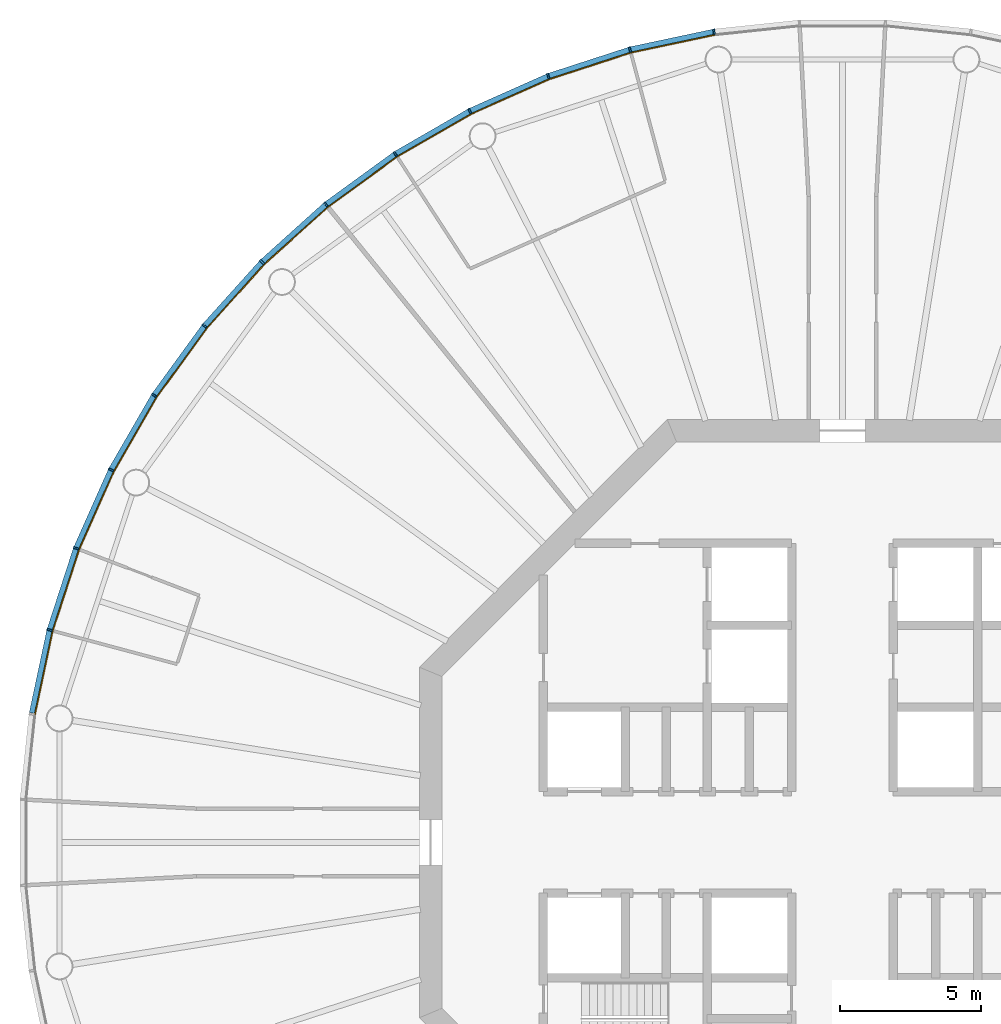
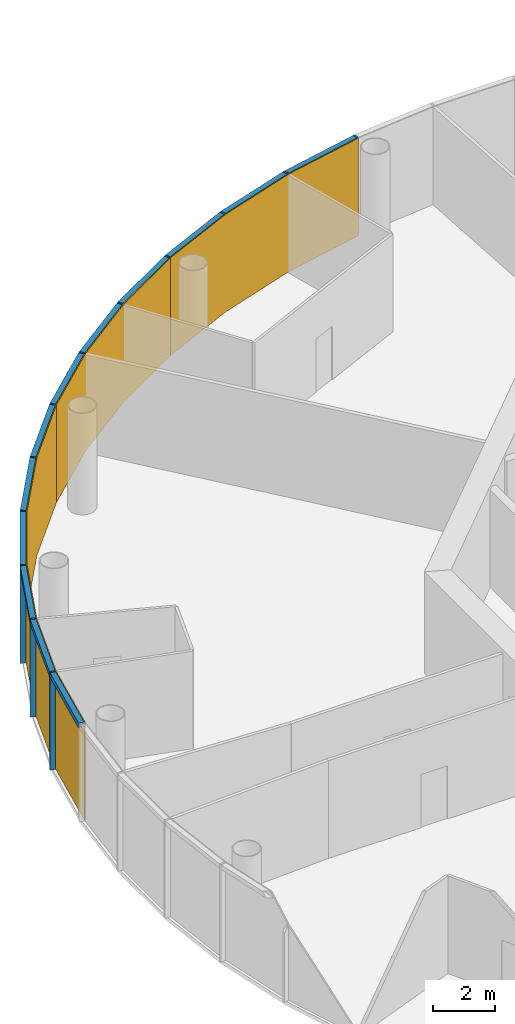
# One storey, part 10 of 13: 24 members, 4 curtain walls.
"""IFC4 building model written with IfcOpenShell, lengths in metres."""

from ifc_helpers import new_model, si_unit, direction, frame, origin, origin_2d, place, context, subcontext, project, spatial, polyline, rectangle, outline, extrude, material, layer, layer_set, material_profile, profile_set, type_object, element, aggregate, save


model = new_model("IFC4")

# Units and contexts
model_context = context("Model", 3, precision=1e-05, world=origin(), true_north=direction((0.0, 1.0)))
body_context = subcontext(model_context, "Body", "Model", "MODEL_VIEW")
ifc_project = project(units=[si_unit("LENGTHUNIT", "METRE"), si_unit("AREAUNIT", "SQUARE_METRE"), si_unit("VOLUMEUNIT", "CUBIC_METRE"), si_unit("PLANEANGLEUNIT", "RADIAN"), si_unit("MASSUNIT", "GRAM", prefix="KILO")], contexts=[model_context])

# Member
ifc_material_1 = material(Name="Anodised aluminium", Category="aluminium")
ifc_material_profile_1 = material_profile(ifc_material_1, rectangle(XDim=0.06494140625, YDim=0.195068359375, at=origin_2d()), Name="Mullion 65 x 195 mm anodised aluminium")
ifc_profile_set_1 = profile_set([ifc_material_profile_1], Name="Anodised aluminium")
member_type_1 = type_object("IfcMemberType", Name="Mullion 65 x 195 mm anodised aluminium", PredefinedType="MULLION", material=ifc_profile_set_1)
site_placement = place(None, origin())
building_placement = place(site_placement, origin())
storey_placement = place(building_placement, frame((0.0, 0.0, 314.0)))
member_1_placement = place(storey_placement, frame((85.4482421875, 108.7392578125, 0.0), z_axis=(0.0, 0.0, 1.0), x_axis=(-0.987688340595, -0.15643446504, 0.0)))
member_1 = element("IfcMember", 1, at=member_1_placement, type_object=member_type_1, Name="MULLION L72-15", PredefinedType="MULLION", context=body_context, shape_type="SweptSolid", body=[
    extrude(rectangle(XDim=0.06494140625, YDim=0.195068359375, at=origin_2d()), origin(), (0.0, 0.0, 1.0), 3.85009765625),
])

member_2_placement = place(storey_placement, frame((82.468994140625, 108.10595703125, 0.0), z_axis=(0.0, 0.0, 1.0), x_axis=(-0.965925826289, -0.258819045103, 0.0)))
member_2 = element("IfcMember", 2, at=member_2_placement, type_object=member_type_1, Name="MULLION L72-16", PredefinedType="MULLION", context=body_context, shape_type="SweptSolid", body=[
    extrude(rectangle(XDim=0.06494140625, YDim=0.195068359375, at=origin_2d()), origin(), (0.0, 0.0, 1.0), 3.85009765625),
])

member_3_placement = place(storey_placement, frame((79.572509765625, 107.164794921875, 0.0), z_axis=(0.0, 0.0, 1.0), x_axis=(-0.933580426497, -0.358367949545, 0.0)))
member_3 = element("IfcMember", 3, at=member_3_placement, type_object=member_type_1, Name="MULLION L72-17", PredefinedType="MULLION", context=body_context, shape_type="SweptSolid", body=[
    extrude(rectangle(XDim=0.06494140625, YDim=0.195068359375, at=origin_2d()), origin(), (0.0, 0.0, 1.0), 3.85009765625),
])

member_4_placement = place(storey_placement, frame((76.7900390625, 105.926025390625, 0.0), z_axis=(0.0, 0.0, 1.0), x_axis=(-0.891006524188, -0.45399049974, 0.0)))
member_4 = element("IfcMember", 4, at=member_4_placement, type_object=member_type_1, Name="MULLION L72-18", PredefinedType="MULLION", context=body_context, shape_type="SweptSolid", body=[
    extrude(rectangle(XDim=0.06494140625, YDim=0.195068359375, at=origin_2d()), origin(), (0.0, 0.0, 1.0), 3.85009765625),
])

member_5_placement = place(storey_placement, frame((74.15234375, 104.4033203125, 0.0), z_axis=(0.0, 0.0, 1.0), x_axis=(-0.838670567945, -0.544639035015, 0.0)))
member_5 = element("IfcMember", 5, at=member_5_placement, type_object=member_type_1, Name="MULLION L72-19", PredefinedType="MULLION", context=body_context, shape_type="SweptSolid", body=[
    extrude(rectangle(XDim=0.06494140625, YDim=0.195068359375, at=origin_2d()), origin(), (0.0, 0.0, 1.0), 3.85009765625),
])

member_6_placement = place(storey_placement, frame((71.688232421875, 102.613037109375, 0.0), z_axis=(0.0, 0.0, 1.0), x_axis=(-0.777145961457, -0.62932039105, 0.0)))
member_6 = element("IfcMember", 6, at=member_6_placement, type_object=member_type_1, Name="MULLION L72-20", PredefinedType="MULLION", context=body_context, shape_type="SweptSolid", body=[
    extrude(rectangle(XDim=0.06494140625, YDim=0.195068359375, at=origin_2d()), origin(), (0.0, 0.0, 1.0), 3.85009765625),
])

member_7_placement = place(storey_placement, frame((69.425048828125, 100.574951171875, 0.0), z_axis=(0.0, 0.0, 1.0), x_axis=(-0.707106781187, -0.707106781187, 0.0)))
member_7 = element("IfcMember", 7, at=member_7_placement, type_object=member_type_1, Name="MULLION L72-21", PredefinedType="MULLION", context=body_context, shape_type="SweptSolid", body=[
    extrude(rectangle(XDim=0.06494140625, YDim=0.195068359375, at=origin_2d()), origin(), (0.0, 0.0, 1.0), 3.85009765625),
])

member_8_placement = place(storey_placement, frame((67.386962890625, 98.311767578125, 0.0), z_axis=(0.0, 0.0, 1.0), x_axis=(-0.62932039105, -0.777145961457, 0.0)))
member_8 = element("IfcMember", 8, at=member_8_placement, type_object=member_type_1, Name="MULLION L72-22", PredefinedType="MULLION", context=body_context, shape_type="SweptSolid", body=[
    extrude(rectangle(XDim=0.06494140625, YDim=0.195068359375, at=origin_2d()), origin(), (0.0, 0.0, 1.0), 3.85009765625),
])

member_9_placement = place(storey_placement, frame((65.5966796875, 95.84765625, 0.0), z_axis=(0.0, 0.0, 1.0), x_axis=(-0.544639035015, -0.838670567945, 0.0)))
member_9 = element("IfcMember", 9, at=member_9_placement, type_object=member_type_1, Name="MULLION L72-23", PredefinedType="MULLION", context=body_context, shape_type="SweptSolid", body=[
    extrude(rectangle(XDim=0.06494140625, YDim=0.195068359375, at=origin_2d()), origin(), (0.0, 0.0, 1.0), 3.85009765625),
])

member_10_placement = place(storey_placement, frame((64.073974609375, 93.2099609375, 0.0), z_axis=(0.0, 0.0, 1.0), x_axis=(-0.45399049974, -0.891006524188, 0.0)))
member_10 = element("IfcMember", 10, at=member_10_placement, type_object=member_type_1, Name="MULLION L72-24", PredefinedType="MULLION", context=body_context, shape_type="SweptSolid", body=[
    extrude(rectangle(XDim=0.06494140625, YDim=0.195068359375, at=origin_2d()), origin(), (0.0, 0.0, 1.0), 3.85009765625),
])

member_11_placement = place(storey_placement, frame((62.835205078125, 90.427490234375, 0.0), z_axis=(0.0, 0.0, 1.0), x_axis=(-0.358367949545, -0.933580426497, 0.0)))
member_11 = element("IfcMember", 11, at=member_11_placement, type_object=member_type_1, Name="MULLION L72-25", PredefinedType="MULLION", context=body_context, shape_type="SweptSolid", body=[
    extrude(rectangle(XDim=0.06494140625, YDim=0.195068359375, at=origin_2d()), origin(), (0.0, 0.0, 1.0), 3.85009765625),
])

member_12_placement = place(storey_placement, frame((61.89404296875, 87.531005859375, 0.0), z_axis=(0.0, 0.0, 1.0), x_axis=(-0.258819045103, -0.965925826289, 0.0)))
member_12 = element("IfcMember", 12, at=member_12_placement, type_object=member_type_1, Name="MULLION L72-26", PredefinedType="MULLION", context=body_context, shape_type="SweptSolid", body=[
    extrude(rectangle(XDim=0.06494140625, YDim=0.195068359375, at=origin_2d()), origin(), (0.0, 0.0, 1.0), 3.85009765625),
])

ifc_material_2 = material(Name="Anodised aluminium", Category="aluminium")
ifc_material_profile_2 = material_profile(ifc_material_2, rectangle(XDim=0.195068359375, YDim=0.179931640625, at=origin_2d()), Name="Transom 180 x 195 mm anodised aluminium")
ifc_profile_set_2 = profile_set([ifc_material_profile_2], Name="Anodised aluminium")
member_type_2 = type_object("IfcMemberType", Name="Transom 180 x 195 mm anodised aluminium", PredefinedType="USERDEFINED", material=ifc_profile_set_2)
member_13_placement = place(storey_placement, frame((85.411376953125, 108.731689453125, 3.760009765625), z_axis=(-0.978141510112, -0.207940342877, 0.0), x_axis=(0.207940342877, -0.978141510112, 0.0)))
member_13 = element("IfcMember", 13, at=member_13_placement, type_object=member_type_2, Name="TRANSOM L72-15", ObjectType="TRANSOM", PredefinedType="USERDEFINED", context=body_context, shape_type="SweptSolid", body=[
    extrude(rectangle(XDim=0.195068359375, YDim=0.179931640625, at=origin_2d()), origin(), (0.0, 0.0, 1.0), 2.970458984375),
])

member_14_placement = place(storey_placement, frame((82.43310546875, 108.094482421875, 3.760009765625), z_axis=(-0.951047960094, -0.309043326415, 0.0), x_axis=(0.309043326415, -0.951047960094, 0.0)))
member_14 = element("IfcMember", 14, at=member_14_placement, type_object=member_type_2, Name="TRANSOM L72-16", ObjectType="TRANSOM", PredefinedType="USERDEFINED", context=body_context, shape_type="SweptSolid", body=[
    extrude(rectangle(XDim=0.195068359375, YDim=0.179931640625, at=origin_2d()), origin(), (0.0, 0.0, 1.0), 2.970458984375),
])

member_15_placement = place(storey_placement, frame((79.5380859375, 107.149658203125, 3.760009765625), z_axis=(-0.913550406593, -0.406725527369, 0.0), x_axis=(0.406725527369, -0.913550406593, 0.0)))
member_15 = element("IfcMember", 15, at=member_15_placement, type_object=member_type_2, Name="TRANSOM L72-17", ObjectType="TRANSOM", PredefinedType="USERDEFINED", context=body_context, shape_type="SweptSolid", body=[
    extrude(rectangle(XDim=0.195068359375, YDim=0.179931640625, at=origin_2d()), origin(), (0.0, 0.0, 1.0), 2.970703125),
])

member_16_placement = place(storey_placement, frame((76.75732421875, 105.907470703125, 3.760009765625), z_axis=(-0.866009025146, -0.500028367561, 0.0), x_axis=(0.500028367561, -0.866009025146, 0.0)))
member_16 = element("IfcMember", 16, at=member_16_placement, type_object=member_type_2, Name="TRANSOM L72-18", ObjectType="TRANSOM", PredefinedType="USERDEFINED", context=body_context, shape_type="SweptSolid", body=[
    extrude(rectangle(XDim=0.195068359375, YDim=0.179931640625, at=origin_2d()), origin(), (0.0, 0.0, 1.0), 2.970458984375),
])

member_17_placement = place(storey_placement, frame((74.121826171875, 104.381103515625, 3.760009765625), z_axis=(-0.809030990733, -0.587765987476, 0.0), x_axis=(0.587765987476, -0.809030990733, 0.0)))
member_17 = element("IfcMember", 17, at=member_17_placement, type_object=member_type_2, Name="TRANSOM L72-19", ObjectType="TRANSOM", PredefinedType="USERDEFINED", context=body_context, shape_type="SweptSolid", body=[
    extrude(rectangle(XDim=0.195068359375, YDim=0.179931640625, at=origin_2d()), origin(), (0.0, 0.0, 1.0), 2.97021484375),
])

member_18_placement = place(storey_placement, frame((71.660400390625, 102.587890625, 3.760009765625), z_axis=(-0.743163354343, -0.669110027395, 0.0), x_axis=(0.669110027395, -0.743163354343, 0.0)))
member_18 = element("IfcMember", 18, at=member_18_placement, type_object=member_type_2, Name="TRANSOM L72-20", ObjectType="TRANSOM", PredefinedType="USERDEFINED", context=body_context, shape_type="SweptSolid", body=[
    extrude(rectangle(XDim=0.195068359375, YDim=0.179931640625, at=origin_2d()), origin(), (0.0, 0.0, 1.0), 2.970458984375),
])

member_19_placement = place(storey_placement, frame((69.399658203125, 100.547119140625, 3.760009765625), z_axis=(-0.669110027395, -0.743163354343, 0.0), x_axis=(0.743163354343, -0.669110027395, 0.0)))
member_19 = element("IfcMember", 19, at=member_19_placement, type_object=member_type_2, Name="TRANSOM L72-21", ObjectType="TRANSOM", PredefinedType="USERDEFINED", context=body_context, shape_type="SweptSolid", body=[
    extrude(rectangle(XDim=0.195068359375, YDim=0.179931640625, at=origin_2d()), origin(), (0.0, 0.0, 1.0), 2.970458984375),
])

member_20_placement = place(storey_placement, frame((67.36474609375, 98.28125, 3.760009765625), z_axis=(-0.587765987476, -0.809030990733, 0.0), x_axis=(0.809030990733, -0.587765987476, 0.0)))
member_20 = element("IfcMember", 20, at=member_20_placement, type_object=member_type_2, Name="TRANSOM L72-22", ObjectType="TRANSOM", PredefinedType="USERDEFINED", context=body_context, shape_type="SweptSolid", body=[
    extrude(rectangle(XDim=0.195068359375, YDim=0.179931640625, at=origin_2d()), origin(), (0.0, 0.0, 1.0), 2.97021484375),
])

member_21_placement = place(storey_placement, frame((65.577880859375, 95.815185546875, 3.760009765625), z_axis=(-0.500028367561, -0.866009025146, 0.0), x_axis=(0.866009025146, -0.500028367561, 0.0)))
member_21 = element("IfcMember", 21, at=member_21_placement, type_object=member_type_2, Name="TRANSOM L72-23", ObjectType="TRANSOM", PredefinedType="USERDEFINED", context=body_context, shape_type="SweptSolid", body=[
    extrude(rectangle(XDim=0.195068359375, YDim=0.179931640625, at=origin_2d()), origin(), (0.0, 0.0, 1.0), 2.970458984375),
])

member_22_placement = place(storey_placement, frame((64.05859375, 93.17578125, 3.760009765625), z_axis=(-0.406725527369, -0.913550406593, 0.0), x_axis=(0.913550406593, -0.406725527369, 0.0)))
member_22 = element("IfcMember", 22, at=member_22_placement, type_object=member_type_2, Name="TRANSOM L72-24", ObjectType="TRANSOM", PredefinedType="USERDEFINED", context=body_context, shape_type="SweptSolid", body=[
    extrude(rectangle(XDim=0.195068359375, YDim=0.179931640625, at=origin_2d()), origin(), (0.0, 0.0, 1.0), 2.970703125),
])

member_23_placement = place(storey_placement, frame((62.823486328125, 90.391845703125, 3.760009765625), z_axis=(-0.309043326415, -0.951047960094, 0.0), x_axis=(0.951047960094, -0.309043326415, 0.0)))
member_23 = element("IfcMember", 23, at=member_23_placement, type_object=member_type_2, Name="TRANSOM L72-25", ObjectType="TRANSOM", PredefinedType="USERDEFINED", context=body_context, shape_type="SweptSolid", body=[
    extrude(rectangle(XDim=0.195068359375, YDim=0.179931640625, at=origin_2d()), origin(), (0.0, 0.0, 1.0), 2.970458984375),
])

member_24_placement = place(storey_placement, frame((61.885986328125, 87.494140625, 3.760009765625), z_axis=(-0.207940342877, -0.978141510112, 0.0), x_axis=(0.978141510112, -0.207940342877, 0.0)))
member_24 = element("IfcMember", 24, at=member_24_placement, type_object=member_type_2, Name="TRANSOM L72-26", ObjectType="TRANSOM", PredefinedType="USERDEFINED", context=body_context, shape_type="SweptSolid", body=[
    extrude(rectangle(XDim=0.195068359375, YDim=0.179931640625, at=origin_2d()), origin(), (0.0, 0.0, 1.0), 2.970458984375),
])

# Site, building, storey
site = spatial("IfcSite", under=ifc_project, at=site_placement, CompositionType="ELEMENT")
building = spatial("IfcBuilding", under=site, at=building_placement, Name="Entoto Ring Tower", CompositionType="ELEMENT")
storey = spatial("IfcBuildingStorey", under=building, at=storey_placement, Name="L72", CompositionType="ELEMENT", Elevation=314.0)

# Curtain wall
ifc_material_3 = material(Name="Clear low-iron glass", Category="glass")
ifc_layer = layer(ifc_material_3, 0.033935546875)
ifc_layer_set = layer_set([ifc_layer], Name="Clear low-iron glass")
curtain_wall_type = type_object("IfcCurtainWallType", Name="Curtain wall system CW5 glazing 34 mm", PredefinedType="NOTDEFINED", material=ifc_layer_set)
curtain_wall_1_placement = place(storey_placement, origin())
curtain_wall_1 = element("IfcCurtainWall", 25, at=curtain_wall_1_placement, inside=storey, type_object=curtain_wall_type, Name="CW5 L72-06", PredefinedType="NOTDEFINED", context=body_context, shape_type="SweptSolid", body=[
    extrude(outline(polyline([(85.46337890625, 108.64306640625), (82.494140625, 108.011962890625), (79.607421875, 107.07373046875), (76.834228515625, 105.839111328125), (76.849853515625, 105.808837890625), (79.61962890625, 107.0419921875), (82.503173828125, 107.97900390625), (85.46875, 108.609375), (85.46337890625, 108.64306640625)])), origin(), (0.0, 0.0, 1.0), 3.85009765625),
])

aggregate(curtain_wall_1, [member_1, member_2, member_3, member_13, member_14, member_15])

curtain_wall_2_placement = place(storey_placement, origin())
curtain_wall_2 = element("IfcCurtainWall", 26, at=curtain_wall_2_placement, inside=storey, type_object=curtain_wall_type, Name="CW5 L72-07", PredefinedType="NOTDEFINED", context=body_context, shape_type="SweptSolid", body=[
    extrude(outline(polyline([(76.834228515625, 105.839111328125), (74.20556640625, 104.321533203125), (71.749755859375, 102.537353515625), (69.493896484375, 100.506103515625), (69.51806640625, 100.48193359375), (71.771240234375, 102.5107421875), (74.22412109375, 104.29296875), (76.849853515625, 105.808837890625), (76.834228515625, 105.839111328125)])), origin(), (0.0, 0.0, 1.0), 3.85009765625),
])

aggregate(curtain_wall_2, [member_4, member_5, member_6, member_16, member_17, member_18])

curtain_wall_3_placement = place(storey_placement, origin())
curtain_wall_3 = element("IfcCurtainWall", 27, at=curtain_wall_3_placement, inside=storey, type_object=curtain_wall_type, Name="CW5 L72-08", PredefinedType="NOTDEFINED", context=body_context, shape_type="SweptSolid", body=[
    extrude(outline(polyline([(69.493896484375, 100.506103515625), (67.462646484375, 98.250244140625), (65.678466796875, 95.79443359375), (64.160888671875, 93.165771484375), (64.191162109375, 93.150146484375), (65.70703125, 95.77587890625), (67.4892578125, 98.228759765625), (69.51806640625, 100.48193359375), (69.493896484375, 100.506103515625)])), origin(), (0.0, 0.0, 1.0), 3.85009765625),
])

aggregate(curtain_wall_3, [member_7, member_8, member_9, member_19, member_20, member_21])

curtain_wall_4_placement = place(storey_placement, origin())
curtain_wall_4 = element("IfcCurtainWall", 28, at=curtain_wall_4_placement, inside=storey, type_object=curtain_wall_type, Name="CW5 L72-09", PredefinedType="NOTDEFINED", context=body_context, shape_type="SweptSolid", body=[
    extrude(outline(polyline([(64.160888671875, 93.165771484375), (62.92626953125, 90.392578125), (61.988037109375, 87.505859375), (61.35693359375, 84.53662109375), (61.390625, 84.53125), (62.02099609375, 87.496826171875), (62.9580078125, 90.38037109375), (64.191162109375, 93.150146484375), (64.160888671875, 93.165771484375)])), origin(), (0.0, 0.0, 1.0), 3.85009765625),
])

aggregate(curtain_wall_4, [member_10, member_11, member_12, member_22, member_23, member_24])

save(model, "model.ifc")
